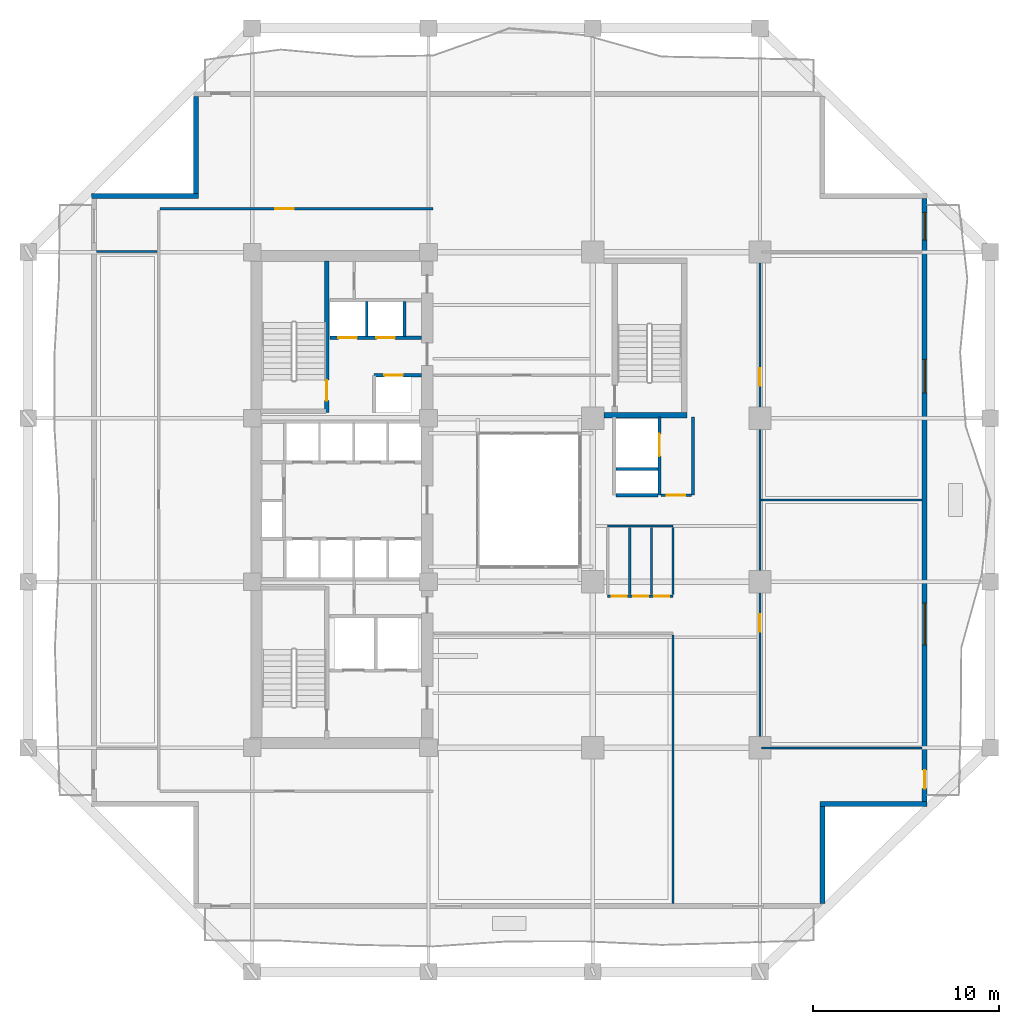
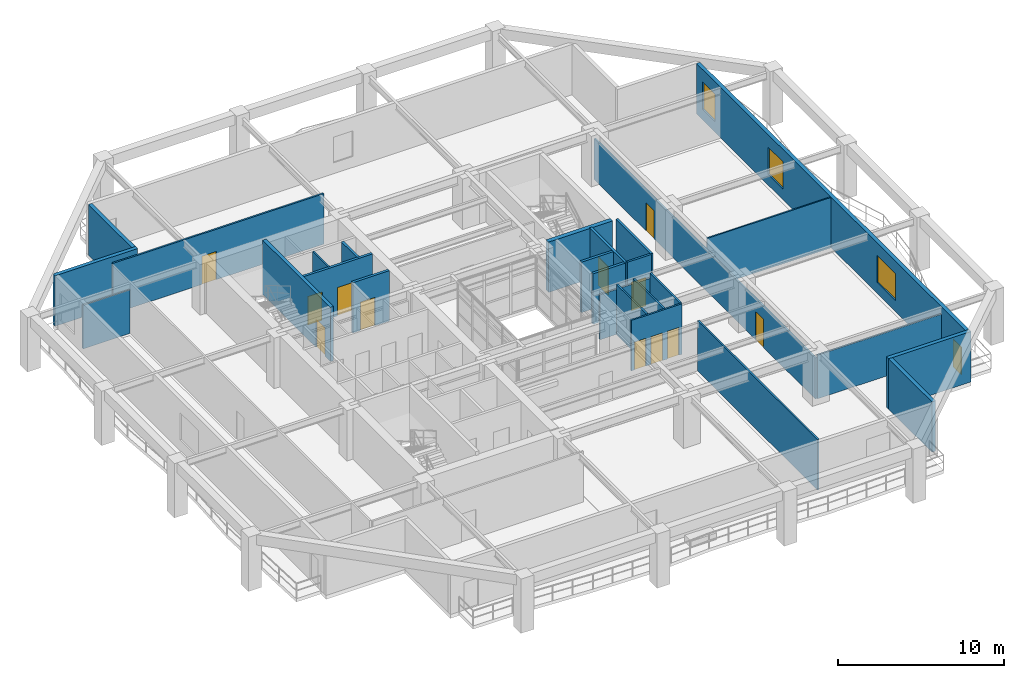
# One storey, part 8 of 17: 27 walls, 13 doors, 3 windows, 16 openings.
"""IFC4 building model written with IfcOpenShell, lengths in metres."""

from ifc_helpers import new_model, si_unit, direction, frame, frame_2d, origin, place, context, subcontext, project, spatial, rectangle, extrude, material, layer, layer_set, type_object, element, fill, save


model = new_model("IFC4")

# Units and contexts
model_context = context("Model", 3, precision=1e-05, world=origin(), true_north=direction((0.0, 1.0)))
body_context = subcontext(model_context, "Body", "Model", "MODEL_VIEW")
ifc_project = project(units=[si_unit("LENGTHUNIT", "METRE"), si_unit("AREAUNIT", "SQUARE_METRE"), si_unit("VOLUMEUNIT", "CUBIC_METRE"), si_unit("PLANEANGLEUNIT", "RADIAN"), si_unit("MASSUNIT", "GRAM", prefix="KILO")], contexts=[model_context])

# Site, building, storey
site_placement = place(None, origin())
site = spatial("IfcSite", under=ifc_project, at=site_placement, CompositionType="ELEMENT")
building_placement = place(site_placement, origin())
building = spatial("IfcBuilding", under=site, at=building_placement, Name="Kundavana Baori Tower", CompositionType="ELEMENT")
storey_placement = place(building_placement, frame((0.0, 0.0, 26.0)))
storey = spatial("IfcBuildingStorey", under=building, at=storey_placement, Name="L05", CompositionType="ELEMENT", Elevation=26.0)

# Wall, opening, door
ifc_material_1 = material(Name="Concrete C50/60", Category="concrete")
ifc_layer_1 = layer(ifc_material_1, 0.39990234375, Name="WL-CORE-400")
ifc_layer_set_1 = layer_set([ifc_layer_1], Name="Concrete C50/60")
wall_type_1 = type_object("IfcWallType", Name="WL-CORE-400", PredefinedType="SHEAR", material=ifc_layer_set_1)
wall_1_placement = place(storey_placement, frame((19.4599609375, 33.300048828125, 0.0), z_axis=(0.0, 0.0, 1.0), x_axis=(0.0, 1.0, 0.0)))
wall_1 = element("IfcWall", 1, at=wall_1_placement, inside=storey, type_object=wall_type_1, Name="WL-L05-ST2-E", PredefinedType="SHEAR", context=body_context, shape_type="SweptSolid", body=[
    extrude(rectangle(XDim=8.179931640625, YDim=0.239990234375, at=frame_2d((4.08984375, 0.0))), origin(), (0.0, 0.0, 1.0), 4.0),
])
opening_1_placement = place(wall_1_placement, frame((0.64990234375, 0.0, 0.0)))
opening_1 = element("IfcOpeningElement", 2, at=opening_1_placement, cuts=wall_1, Name="Opening FD-110", PredefinedType="OPENING", context=body_context, shape_type="SweptSolid", body=[
    extrude(rectangle(XDim=1.10009765625, YDim=2.10009765625, at=frame_2d((0.550048828125, 1.050048828125))), frame((0.0, 0.1298828125, 0.0), z_axis=(0.0, -1.0, 0.0), x_axis=(1.0, 0.0, 0.0)), (0.0, 0.0, 1.0), 0.260009765625),
])
ifc_material_2 = material(Name="Galvanised Steel Fire-Rated Door Leaf", Category="steel")
door_type_1 = type_object("IfcDoorType", Name="DR-FD120-1100", OperationType="NOTDEFINED", PredefinedType="DOOR", material=ifc_material_2)
door_1_placement = place(opening_1_placement, origin())
door_1 = element("IfcDoor", 3, at=door_1_placement, inside=storey, type_object=door_type_1, Name="DR-L05-ST2", OperationType="SINGLE_SWING_RIGHT", OverallHeight=2.10009765625, OverallWidth=1.10009765625, PredefinedType="DOOR", context=body_context, shape_type="SweptSolid", body=[
    extrude(rectangle(XDim=1.10009765625, YDim=2.10009765625, at=frame_2d((0.550048828125, 1.050048828125))), frame((0.0, 0.02490234375, 0.0), z_axis=(0.0, -1.0, 0.0), x_axis=(1.0, 0.0, 0.0)), (0.0, 0.0, 1.0), 0.050048828125),
])
fill(opening_1, door_1)

# Walls
ifc_material_3 = material(Name="Kiln-Fired Terracotta Brick-Slip Masonry on Concrete C40/50", Category="masonry")
ifc_layer_2 = layer(ifc_material_3, 0.260009765625, Name="WL-EXT-BRK-260")
ifc_layer_set_2 = layer_set([ifc_layer_2], Name="Kiln-Fired Terracotta Brick-Slip Masonry on Concrete C40/50")
wall_type_2 = type_object("IfcWallType", Name="WL-EXT-BRK-260", PredefinedType="SOLIDWALL", material=ifc_layer_set_2)
wall_2_placement = place(storey_placement, frame((46.169921875, 6.860107421875, 0.0), z_axis=(0.0, 0.0, 1.0), x_axis=(0.0, 1.0, 0.0)))
element("IfcWall", 4, at=wall_2_placement, inside=storey, type_object=wall_type_2, Name="L05 Exterior Insulated Facade Wall 02", PredefinedType="SOLIDWALL", context=body_context, shape_type="SweptSolid", body=[
    extrude(rectangle(XDim=5.239990234375, YDim=0.260009765625, at=frame_2d((2.6201171875, 0.0))), origin(), (0.0, 0.0, 1.0), 3.719970703125),
])
wall_3_placement = place(storey_placement, frame((46.0400390625, 12.22998046875, 0.0), z_axis=(0.0, 0.0, 1.0), x_axis=(1.0, 0.0, 0.0)))
element("IfcWall", 5, at=wall_3_placement, inside=storey, type_object=wall_type_2, Name="L05 Exterior Insulated Facade Wall 03", PredefinedType="SOLIDWALL", context=body_context, shape_type="SweptSolid", body=[
    extrude(rectangle(XDim=5.760009765625, YDim=0.260009765625, at=frame_2d((2.8798828125, 0.0))), origin(), (0.0, 0.0, 1.0), 3.719970703125),
])

# Wall, openings, door, windows
wall_4_placement = place(storey_placement, frame((51.669921875, 12.360107421875, 0.0), z_axis=(0.0, 0.0, 1.0), x_axis=(0.0, 1.0, 0.0)))
wall_4 = element("IfcWall", 6, at=wall_4_placement, inside=storey, type_object=wall_type_2, Name="L05 Exterior Insulated Facade Wall 04", PredefinedType="SOLIDWALL", context=body_context, shape_type="SweptSolid", body=[
    extrude(rectangle(XDim=32.47998046875, YDim=0.260009765625, at=frame_2d((16.239990234375, 0.0))), origin(), (0.0, 0.0, 1.0), 3.719970703125),
])
opening_2_placement = place(wall_4_placement, frame((0.68994140625, 0.0, 0.0)))
opening_2 = element("IfcOpeningElement", 7, at=opening_2_placement, cuts=wall_4, Name="Opening BD-1", PredefinedType="OPENING", context=body_context, shape_type="SweptSolid", body=[
    extrude(rectangle(XDim=1.0, YDim=2.050048828125, at=frame_2d((0.5, 1.02490234375))), frame((0.0, 0.14013671875, 0.0), z_axis=(0.0, -1.0, 0.0), x_axis=(1.0, 0.0, 0.0)), (0.0, 0.0, 1.0), 0.280029296875),
])
opening_3_placement = place(wall_4_placement, frame((8.43994140625, 0.0, 0.800048828125)))
opening_3 = element("IfcOpeningElement", 8, at=opening_3_placement, cuts=wall_4, Name="Opening W-10", PredefinedType="OPENING", context=body_context, shape_type="SweptSolid", body=[
    extrude(rectangle(XDim=2.25, YDim=2.0, at=frame_2d((1.125, 1.0))), frame((0.0, 0.14013671875, 0.0), z_axis=(0.0, -1.0, 0.0), x_axis=(1.0, 0.0, 0.0)), (0.0, 0.0, 1.0), 0.280029296875),
])
opening_4_placement = place(wall_4_placement, frame((22.014892578125, 0.0, 0.800048828125)))
opening_4 = element("IfcOpeningElement", 9, at=opening_4_placement, cuts=wall_4, Name="Opening W-01", PredefinedType="OPENING", context=body_context, shape_type="SweptSolid", body=[
    extrude(rectangle(XDim=1.800048828125, YDim=2.0, at=frame_2d((0.89990234375, 1.0))), frame((0.0, 0.14013671875, 0.0), z_axis=(0.0, -1.0, 0.0), x_axis=(1.0, 0.0, 0.0)), (0.0, 0.0, 1.0), 0.280029296875),
])
opening_5_placement = place(wall_4_placement, frame((30.22998046875, 0.0, 0.800048828125)))
opening_5 = element("IfcOpeningElement", 10, at=opening_5_placement, cuts=wall_4, Name="Opening W-02", PredefinedType="OPENING", context=body_context, shape_type="SweptSolid", body=[
    extrude(rectangle(XDim=1.5, YDim=2.0, at=frame_2d((0.75, 1.0))), frame((0.0, 0.14013671875, 0.0), z_axis=(0.0, -1.0, 0.0), x_axis=(1.0, 0.0, 0.0)), (0.0, 0.0, 1.0), 0.280029296875),
])
ifc_material_4 = material(Name="Architectural Patinated Bronze Metalwork")
door_type_2 = type_object("IfcDoorType", Name="DR-EXT-LOG-1000", OperationType="NOTDEFINED", PredefinedType="DOOR", material=ifc_material_4)
door_2_placement = place(opening_2_placement, frame((1.0, 0.0, 0.0), z_axis=(0.0, 0.0, 1.0), x_axis=(-1.0, 0.0, 0.0)))
door_2 = element("IfcDoor", 11, at=door_2_placement, inside=storey, type_object=door_type_2, Name="L05 Loggia Balcony Access Door E", OperationType="SINGLE_SWING_RIGHT", OverallHeight=2.050048828125, OverallWidth=1.0, PredefinedType="DOOR", context=body_context, shape_type="SweptSolid", body=[
    extrude(rectangle(XDim=1.0, YDim=2.050048828125, at=frame_2d((0.5, 1.02490234375))), frame((0.0, 0.02490234375, 0.0), z_axis=(0.0, -1.0, 0.0), x_axis=(1.0, 0.0, 0.0)), (0.0, 0.0, 1.0), 0.050048828125),
])
fill(opening_2, door_2)
ifc_material_5 = material(Name="Double-Glazed Solar-Control Low-E Insulated Glass", Category="glass")
window_type_1 = type_object("IfcWindowType", Name="WIN-LOG-1500x2000", PartitioningType="SINGLE_PANEL", PredefinedType="WINDOW", material=ifc_material_5)
window_1_placement = place(opening_5_placement, origin())
window_1 = element("IfcWindow", 12, at=window_1_placement, inside=storey, type_object=window_type_1, Name="L05 Recessed Loggia Window E-4", OverallHeight=2.0, OverallWidth=1.5, PartitioningType="SINGLE_PANEL", PredefinedType="WINDOW", context=body_context, shape_type="SweptSolid", body=[
    extrude(rectangle(XDim=1.5, YDim=2.0, at=frame_2d((0.75, 1.0))), frame((0.0, 0.030029296875, 0.0), z_axis=(0.0, -1.0, 0.0), x_axis=(1.0, 0.0, 0.0)), (0.0, 0.0, 1.0), 0.06005859375),
])
fill(opening_5, window_1)
ifc_material_6 = material(Name="Double-Glazed Solar-Control Low-E Insulated Glass", Category="glass")
window_type_2 = type_object("IfcWindowType", Name="WIN-LOG-1800x2000", PartitioningType="SINGLE_PANEL", PredefinedType="WINDOW", material=ifc_material_6)
window_2_placement = place(opening_4_placement, origin())
window_2 = element("IfcWindow", 13, at=window_2_placement, inside=storey, type_object=window_type_2, Name="L05 Recessed Loggia Window E-3", OverallHeight=2.0, OverallWidth=1.800048828125, PartitioningType="SINGLE_PANEL", PredefinedType="WINDOW", context=body_context, shape_type="SweptSolid", body=[
    extrude(rectangle(XDim=1.800048828125, YDim=2.0, at=frame_2d((0.89990234375, 1.0))), frame((0.0, 0.030029296875, 0.0), z_axis=(0.0, -1.0, 0.0), x_axis=(1.0, 0.0, 0.0)), (0.0, 0.0, 1.0), 0.06005859375),
])
fill(opening_4, window_2)
ifc_material_7 = material(Name="Double-Glazed Solar-Control Low-E Insulated Glass", Category="glass")
window_type_3 = type_object("IfcWindowType", Name="WIN-LOG-2250x2000", PartitioningType="SINGLE_PANEL", PredefinedType="WINDOW", material=ifc_material_7)
window_3_placement = place(opening_3_placement, origin())
window_3 = element("IfcWindow", 14, at=window_3_placement, inside=storey, type_object=window_type_3, Name="L05 Recessed Loggia Window E-2", OverallHeight=2.0, OverallWidth=2.25, PartitioningType="SINGLE_PANEL", PredefinedType="WINDOW", context=body_context, shape_type="SweptSolid", body=[
    extrude(rectangle(XDim=2.25, YDim=2.0, at=frame_2d((1.125, 1.0))), frame((0.0, 0.030029296875, 0.0), z_axis=(0.0, -1.0, 0.0), x_axis=(1.0, 0.0, 0.0)), (0.0, 0.0, 1.0), 0.06005859375),
])
fill(opening_3, window_3)

# Walls
wall_5_placement = place(storey_placement, frame((12.429931640625, 50.340087890625, 0.0), z_axis=(0.0, 0.0, 1.0), x_axis=(0.0, -1.0, 0.0)))
element("IfcWall", 15, at=wall_5_placement, inside=storey, type_object=wall_type_2, Name="L05 Exterior Insulated Facade Wall 08", PredefinedType="SOLIDWALL", context=body_context, shape_type="SweptSolid", body=[
    extrude(rectangle(XDim=5.239990234375, YDim=0.260009765625, at=frame_2d((2.6201171875, 0.0))), origin(), (0.0, 0.0, 1.0), 3.719970703125),
])
wall_6_placement = place(storey_placement, frame((12.56005859375, 44.969970703125, 0.0), z_axis=(0.0, 0.0, 1.0), x_axis=(-1.0, 0.0, 0.0)))
element("IfcWall", 16, at=wall_6_placement, inside=storey, type_object=wall_type_2, Name="L05 Exterior Insulated Facade Wall 09", PredefinedType="SOLIDWALL", context=body_context, shape_type="SweptSolid", body=[
    extrude(rectangle(XDim=5.760009765625, YDim=0.260009765625, at=frame_2d((2.8798828125, 0.0))), origin(), (0.0, 0.0, 1.0), 3.719970703125),
])
ifc_material_8 = material(Name="Acoustic Gypsum Plasterboard on Galvanised Steel Studs", Category="steel")
ifc_layer_3 = layer(ifc_material_8, 0.10009765625, Name="WL-MOV-100")
ifc_layer_set_3 = layer_set([ifc_layer_3], Name="Acoustic Gypsum Plasterboard on Galvanised Steel Studs")
wall_type_3 = type_object("IfcWallType", Name="WL-MOV-100", PredefinedType="MOVABLE", material=ifc_layer_set_3)
wall_7_placement = place(storey_placement, frame((42.8798828125, 28.60009765625, 0.0), z_axis=(0.0, 0.0, 1.0), x_axis=(1.0, 0.0, 0.0)))
element("IfcWall", 17, at=wall_7_placement, inside=storey, type_object=wall_type_3, Name="WL-L05-ED1", PredefinedType="MOVABLE", context=body_context, shape_type="SweptSolid", body=[
    extrude(rectangle(XDim=8.64013671875, YDim=0.10009765625, at=frame_2d((4.320068359375, 0.0))), origin(), (0.0, 0.0, 1.0), 3.719970703125),
])
ifc_material_9 = material(Name="Acoustic Gypsum Plasterboard on Galvanised Steel Studs", Category="steel")
ifc_layer_4 = layer(ifc_material_9, 0.1201171875, Name="WL-PART-120")
ifc_layer_set_4 = layer_set([ifc_layer_4], Name="Acoustic Gypsum Plasterboard on Galvanised Steel Studs")
wall_type_4 = type_object("IfcWallType", Name="WL-PART-120", PredefinedType="PARTITIONING", material=ifc_layer_set_4)
wall_8_placement = place(storey_placement, frame((21.6201171875, 37.39990234375, 0.0), z_axis=(0.0, 0.0, 1.0), x_axis=(0.0, 1.0, 0.0)))
element("IfcWall", 18, at=wall_8_placement, inside=storey, type_object=wall_type_4, Name="WL-L05-HR-DIV1", PredefinedType="PARTITIONING", context=body_context, shape_type="SweptSolid", body=[
    extrude(rectangle(XDim=1.900146484375, YDim=0.1201171875, at=frame_2d((0.9501953125, 0.0))), origin(), (0.0, 0.0, 1.0), 3.719970703125),
])
wall_9_placement = place(storey_placement, frame((38.1201171875, 6.8798828125, 0.0), z_axis=(0.0, 0.0, 1.0), x_axis=(0.0, 1.0, 0.0)))
element("IfcWall", 19, at=wall_9_placement, inside=storey, type_object=wall_type_4, Name="WL-L05-OFSEND", PredefinedType="PARTITIONING", context=body_context, shape_type="SweptSolid", body=[
    extrude(rectangle(XDim=14.460205078125, YDim=0.1201171875, at=frame_2d((7.22998046875, 0.0))), origin(), (0.0, 0.0, 1.0), 3.719970703125),
])

# Wall, openings, doors
wall_10_placement = place(storey_placement, frame((34.60009765625, 23.419921875, 0.0), z_axis=(0.0, 0.0, 1.0), x_axis=(1.0, 0.0, 0.0)))
wall_10 = element("IfcWall", 20, at=wall_10_placement, inside=storey, type_object=wall_type_4, Name="WL-L05-OFST", PredefinedType="PARTITIONING", context=body_context, shape_type="SweptSolid", body=[
    extrude(rectangle(XDim=3.52001953125, YDim=0.1201171875, at=frame_2d((1.760009765625, 0.0))), origin(), (0.0, 0.0, 1.0), 3.719970703125),
])
opening_6_placement = place(wall_10_placement, frame((0.219970703125, 0.0, 0.0)))
opening_6 = element("IfcOpeningElement", 21, at=opening_6_placement, cuts=wall_10, Name="Opening WD-080", PredefinedType="OPENING", context=body_context, shape_type="SweptSolid", body=[
    extrude(rectangle(XDim=0.800048828125, YDim=2.050048828125, at=frame_2d((0.39990234375, 1.02490234375))), frame((0.0, 0.070068359375, 0.0), z_axis=(0.0, -1.0, 0.0), x_axis=(1.0, 0.0, 0.0)), (0.0, 0.0, 1.0), 0.14013671875),
])
opening_7_placement = place(wall_10_placement, frame((1.3798828125, 0.0, 0.0)))
opening_7 = element("IfcOpeningElement", 22, at=opening_7_placement, cuts=wall_10, Name="Opening WD-080", PredefinedType="OPENING", context=body_context, shape_type="SweptSolid", body=[
    extrude(rectangle(XDim=0.800048828125, YDim=2.050048828125, at=frame_2d((0.39990234375, 1.02490234375))), frame((0.0, 0.070068359375, 0.0), z_axis=(0.0, -1.0, 0.0), x_axis=(1.0, 0.0, 0.0)), (0.0, 0.0, 1.0), 0.14013671875),
])
opening_8_placement = place(wall_10_placement, frame((2.52001953125, 0.0, 0.0)))
opening_8 = element("IfcOpeningElement", 23, at=opening_8_placement, cuts=wall_10, Name="Opening WD-080", PredefinedType="OPENING", context=body_context, shape_type="SweptSolid", body=[
    extrude(rectangle(XDim=0.800048828125, YDim=2.050048828125, at=frame_2d((0.39990234375, 1.02490234375))), frame((0.0, 0.070068359375, 0.0), z_axis=(0.0, -1.0, 0.0), x_axis=(1.0, 0.0, 0.0)), (0.0, 0.0, 1.0), 0.14013671875),
])
ifc_material_10 = material(Name="Engineered Teak Solid-Core Timber Veneer", Category="wood")
door_type_3 = type_object("IfcDoorType", Name="DR-WET-800", OperationType="NOTDEFINED", PredefinedType="DOOR", material=ifc_material_10)
door_3_placement = place(opening_6_placement, origin())
door_3 = element("IfcDoor", 24, at=door_3_placement, inside=storey, type_object=door_type_3, Name="DR-L05-WCM", OperationType="SINGLE_SWING_LEFT", OverallHeight=2.050048828125, OverallWidth=0.800048828125, PredefinedType="DOOR", context=body_context, shape_type="SweptSolid", body=[
    extrude(rectangle(XDim=0.800048828125, YDim=2.050048828125, at=frame_2d((0.39990234375, 1.02490234375))), frame((0.0, 0.02490234375, 0.0), z_axis=(0.0, -1.0, 0.0), x_axis=(1.0, 0.0, 0.0)), (0.0, 0.0, 1.0), 0.050048828125),
])
fill(opening_6, door_3)
door_4_placement = place(opening_7_placement, origin())
door_4 = element("IfcDoor", 25, at=door_4_placement, inside=storey, type_object=door_type_3, Name="DR-L05-WCA", OperationType="SINGLE_SWING_RIGHT", OverallHeight=2.050048828125, OverallWidth=0.800048828125, PredefinedType="DOOR", context=body_context, shape_type="SweptSolid", body=[
    extrude(rectangle(XDim=0.800048828125, YDim=2.050048828125, at=frame_2d((0.39990234375, 1.02490234375))), frame((0.0, 0.02490234375, 0.0), z_axis=(0.0, -1.0, 0.0), x_axis=(1.0, 0.0, 0.0)), (0.0, 0.0, 1.0), 0.050048828125),
])
fill(opening_7, door_4)
door_5_placement = place(opening_8_placement, origin())
door_5 = element("IfcDoor", 26, at=door_5_placement, inside=storey, type_object=door_type_3, Name="DR-L05-PNT", OperationType="SINGLE_SWING_LEFT", OverallHeight=2.050048828125, OverallWidth=0.800048828125, PredefinedType="DOOR", context=body_context, shape_type="SweptSolid", body=[
    extrude(rectangle(XDim=0.800048828125, YDim=2.050048828125, at=frame_2d((0.39990234375, 1.02490234375))), frame((0.0, 0.02490234375, 0.0), z_axis=(0.0, -1.0, 0.0), x_axis=(1.0, 0.0, 0.0)), (0.0, 0.0, 1.0), 0.050048828125),
])
fill(opening_8, door_5)

wall_11_placement = place(storey_placement, frame((42.800048828125, 15.25, 0.0), z_axis=(0.0, 0.0, 1.0), x_axis=(0.0, 1.0, 0.0)))
wall_11 = element("IfcWall", 27, at=wall_11_placement, inside=storey, type_object=wall_type_4, Name="WL-L05-OFE", PredefinedType="PARTITIONING", context=body_context, shape_type="SweptSolid", body=[
    extrude(rectangle(XDim=26.699951171875, YDim=0.1201171875, at=frame_2d((13.35009765625, 0.0))), origin(), (0.0, 0.0, 1.0), 3.02001953125),
])
opening_9_placement = place(wall_11_placement, frame((6.25, 0.0, 0.0)))
opening_9 = element("IfcOpeningElement", 28, at=opening_9_placement, cuts=wall_11, Name="Opening ID-095", PredefinedType="OPENING", context=body_context, shape_type="SweptSolid", body=[
    extrude(rectangle(XDim=0.949951171875, YDim=2.080078125, at=frame_2d((0.47509765625, 1.0400390625))), frame((0.0, 0.070068359375, 0.0), z_axis=(0.0, -1.0, 0.0), x_axis=(1.0, 0.0, 0.0)), (0.0, 0.0, 1.0), 0.14013671875),
])
opening_10_placement = place(wall_11_placement, frame((19.5, 0.0, 0.0)))
opening_10 = element("IfcOpeningElement", 29, at=opening_10_placement, cuts=wall_11, Name="Opening ID-095", PredefinedType="OPENING", context=body_context, shape_type="SweptSolid", body=[
    extrude(rectangle(XDim=0.949951171875, YDim=2.080078125, at=frame_2d((0.47509765625, 1.0400390625))), frame((0.0, 0.070068359375, 0.0), z_axis=(0.0, -1.0, 0.0), x_axis=(1.0, 0.0, 0.0)), (0.0, 0.0, 1.0), 0.14013671875),
])
ifc_material_11 = material(Name="Engineered Teak Solid-Core Timber Veneer", Category="wood")
door_type_4 = type_object("IfcDoorType", Name="DR-INT-950", OperationType="NOTDEFINED", PredefinedType="DOOR", material=ifc_material_11)
door_6_placement = place(opening_9_placement, origin())
door_6 = element("IfcDoor", 30, at=door_6_placement, inside=storey, type_object=door_type_4, Name="DR-L05-OFE1", OperationType="SINGLE_SWING_RIGHT", OverallHeight=2.080078125, OverallWidth=0.949951171875, PredefinedType="DOOR", context=body_context, shape_type="SweptSolid", body=[
    extrude(rectangle(XDim=0.949951171875, YDim=2.080078125, at=frame_2d((0.47509765625, 1.0400390625))), frame((0.0, 0.02490234375, 0.0), z_axis=(0.0, -1.0, 0.0), x_axis=(1.0, 0.0, 0.0)), (0.0, 0.0, 1.0), 0.050048828125),
])
fill(opening_9, door_6)
door_7_placement = place(opening_10_placement, origin())
door_7 = element("IfcDoor", 31, at=door_7_placement, inside=storey, type_object=door_type_4, Name="DR-L05-OFE2", OperationType="SINGLE_SWING_LEFT", OverallHeight=2.080078125, OverallWidth=0.949951171875, PredefinedType="DOOR", context=body_context, shape_type="SweptSolid", body=[
    extrude(rectangle(XDim=0.949951171875, YDim=2.080078125, at=frame_2d((0.47509765625, 1.0400390625))), frame((0.0, 0.02490234375, 0.0), z_axis=(0.0, -1.0, 0.0), x_axis=(1.0, 0.0, 0.0)), (0.0, 0.0, 1.0), 0.050048828125),
])
fill(opening_10, door_7)

# Walls
wall_12_placement = place(storey_placement, frame((42.8798828125, 15.25, 0.0), z_axis=(0.0, 0.0, 1.0), x_axis=(1.0, 0.0, 0.0)))
element("IfcWall", 32, at=wall_12_placement, inside=storey, type_object=wall_type_4, Name="WL-L05-OFES", PredefinedType="PARTITIONING", context=body_context, shape_type="SweptSolid", body=[
    extrude(rectangle(XDim=8.64013671875, YDim=0.1201171875, at=frame_2d((4.320068359375, 0.0))), origin(), (0.0, 0.0, 1.0), 3.219970703125),
])
wall_13_placement = place(storey_placement, frame((7.080078125, 41.97998046875, 0.0), z_axis=(0.0, 0.0, 1.0), x_axis=(1.0, 0.0, 0.0)))
element("IfcWall", 33, at=wall_13_placement, inside=storey, type_object=wall_type_4, Name="WL-L05-OWN", PredefinedType="PARTITIONING", context=body_context, shape_type="SweptSolid", body=[
    extrude(rectangle(XDim=3.260009765625, YDim=0.1201171875, at=frame_2d((1.6298828125, 0.0))), origin(), (0.0, 0.0, 1.0), 3.219970703125),
])

# Wall, opening, door
wall_14_placement = place(storey_placement, frame((10.5, 44.280029296875, 0.0), z_axis=(0.0, 0.0, 1.0), x_axis=(1.0, 0.0, 0.0)))
wall_14 = element("IfcWall", 34, at=wall_14_placement, inside=storey, type_object=wall_type_4, Name="WL-L05-ONC", PredefinedType="PARTITIONING", context=body_context, shape_type="SweptSolid", body=[
    extrude(rectangle(XDim=14.699951171875, YDim=0.1201171875, at=frame_2d((7.35009765625, 0.0))), origin(), (0.0, 0.0, 1.0), 3.719970703125),
])
opening_11_placement = place(wall_14_placement, frame((6.199951171875, 0.0, 0.0)))
opening_11 = element("IfcOpeningElement", 35, at=opening_11_placement, cuts=wall_14, Name="Opening ID-100", PredefinedType="OPENING", context=body_context, shape_type="SweptSolid", body=[
    extrude(rectangle(XDim=1.0, YDim=2.080078125, at=frame_2d((0.5, 1.0400390625))), frame((0.0, 0.070068359375, 0.0), z_axis=(0.0, -1.0, 0.0), x_axis=(1.0, 0.0, 0.0)), (0.0, 0.0, 1.0), 0.14013671875),
])
ifc_material_12 = material(Name="Engineered Teak Solid-Core Timber Veneer", Category="wood")
door_type_5 = type_object("IfcDoorType", Name="DR-INT-1000", OperationType="NOTDEFINED", PredefinedType="DOOR", material=ifc_material_12)
door_8_placement = place(opening_11_placement, origin())
door_8 = element("IfcDoor", 36, at=door_8_placement, inside=storey, type_object=door_type_5, Name="DR-L05-ONWC", OperationType="SINGLE_SWING_RIGHT", OverallHeight=2.080078125, OverallWidth=1.0, PredefinedType="DOOR", context=body_context, shape_type="SweptSolid", body=[
    extrude(rectangle(XDim=1.0, YDim=2.080078125, at=frame_2d((0.5, 1.0400390625))), frame((0.0, 0.02490234375, 0.0), z_axis=(0.0, -1.0, 0.0), x_axis=(1.0, 0.0, 0.0)), (0.0, 0.0, 1.0), 0.050048828125),
])
fill(opening_11, door_8)

# Wall
ifc_material_13 = material(Name="Fire-Rated Gypsum Drywall on Galvanised Steel Studs", Category="steel")
ifc_layer_5 = layer(ifc_material_13, 0.14990234375, Name="WL-PART-150")
ifc_layer_set_5 = layer_set([ifc_layer_5], Name="Fire-Rated Gypsum Drywall on Galvanised Steel Studs")
wall_type_5 = type_object("IfcWallType", Name="WL-PART-150", PredefinedType="PARTITIONING", material=ifc_layer_set_5)
wall_15_placement = place(storey_placement, frame((39.199951171875, 28.860107421875, 0.0), z_axis=(0.0, 0.0, 1.0), x_axis=(0.0, 1.0, 0.0)))
element("IfcWall", 37, at=wall_15_placement, inside=storey, type_object=wall_type_5, Name="WL-L05-SVLOB-E", PredefinedType="PARTITIONING", context=body_context, shape_type="SweptSolid", body=[
    extrude(rectangle(XDim=4.219970703125, YDim=0.14990234375, at=frame_2d((2.10986328125, 0.0))), origin(), (0.0, 0.0, 1.0), 3.719970703125),
])

# Wall, opening, door
wall_16_placement = place(storey_placement, frame((37.47998046875, 28.860107421875, 0.0), z_axis=(0.0, 0.0, 1.0), x_axis=(1.0, 0.0, 0.0)))
wall_16 = element("IfcWall", 38, at=wall_16_placement, inside=storey, type_object=wall_type_5, Name="WL-L05-SVLOB-S", PredefinedType="PARTITIONING", context=body_context, shape_type="SweptSolid", body=[
    extrude(rectangle(XDim=1.64013671875, YDim=0.14990234375, at=frame_2d((0.820068359375, 0.0))), origin(), (0.0, 0.0, 1.0), 3.719970703125),
])
opening_12_placement = place(wall_16_placement, frame((0.300048828125, 0.0, 0.0)))
opening_12 = element("IfcOpeningElement", 39, at=opening_12_placement, cuts=wall_16, Name="Opening FD-100", PredefinedType="OPENING", context=body_context, shape_type="SweptSolid", body=[
    extrude(rectangle(XDim=1.0, YDim=2.10009765625, at=frame_2d((0.5, 1.050048828125))), frame((0.0, 0.0849609375, 0.0), z_axis=(0.0, -1.0, 0.0), x_axis=(1.0, 0.0, 0.0)), (0.0, 0.0, 1.0), 0.169921875),
])
ifc_material_14 = material(Name="Engineered Teak Fire-Rated Timber Door Leaf", Category="wood")
door_type_6 = type_object("IfcDoorType", Name="DR-FD60-1000", OperationType="NOTDEFINED", PredefinedType="DOOR", material=ifc_material_14)
door_9_placement = place(opening_12_placement, origin())
door_9 = element("IfcDoor", 40, at=door_9_placement, inside=storey, type_object=door_type_6, Name="DR-L05-SVLOB-OUT", OperationType="SINGLE_SWING_LEFT", OverallHeight=2.10009765625, OverallWidth=1.0, PredefinedType="DOOR", context=body_context, shape_type="SweptSolid", body=[
    extrude(rectangle(XDim=1.0, YDim=2.10009765625, at=frame_2d((0.5, 1.050048828125))), frame((0.0, 0.02490234375, 0.0), z_axis=(0.0, -1.0, 0.0), x_axis=(1.0, 0.0, 0.0)), (0.0, 0.0, 1.0), 0.050048828125),
])
fill(opening_12, door_9)

ifc_material_15 = material(Name="Autoclaved Aerated Concrete Blockwork Masonry", Category="masonry")
ifc_layer_6 = layer(ifc_material_15, 0.179931640625, Name="WL-SHAFT-180")
ifc_layer_set_6 = layer_set([ifc_layer_6], Name="Autoclaved Aerated Concrete Blockwork Masonry")
wall_type_6 = type_object("IfcWallType", Name="WL-SHAFT-180", PredefinedType="SOLIDWALL", material=ifc_layer_set_6)
wall_17_placement = place(storey_placement, frame((22.02001953125, 35.31005859375, 0.0), z_axis=(0.0, 0.0, 1.0), x_axis=(1.0, 0.0, 0.0)))
wall_17 = element("IfcWall", 41, at=wall_17_placement, inside=storey, type_object=wall_type_6, Name="WL-L05-LP11-N", PredefinedType="SOLIDWALL", context=body_context, shape_type="SweptSolid", body=[
    extrude(rectangle(XDim=2.56005859375, YDim=0.179931640625, at=frame_2d((1.280029296875, 0.0))), origin(), (0.0, 0.0, 1.0), 3.719970703125),
])
opening_13_placement = place(wall_17_placement, frame((0.550048828125, 0.0, 0.0)))
opening_13 = element("IfcOpeningElement", 42, at=opening_13_placement, cuts=wall_17, Name="Opening LD-100", PredefinedType="OPENING", context=body_context, shape_type="SweptSolid", body=[
    extrude(rectangle(XDim=1.0, YDim=2.10009765625, at=frame_2d((0.5, 1.050048828125))), frame((0.0, 0.10009765625, 0.0), z_axis=(0.0, -1.0, 0.0), x_axis=(1.0, 0.0, 0.0)), (0.0, 0.0, 1.0), 0.199951171875),
])
ifc_material_16 = material(Name="Galvanised Steel Fire-Rated Door Leaf", Category="steel")
door_type_7 = type_object("IfcDoorType", Name="DR-SLIDE-LD1000", OperationType="NOTDEFINED", PredefinedType="DOOR", material=ifc_material_16)
door_10_placement = place(opening_13_placement, origin())
door_10 = element("IfcDoor", 43, at=door_10_placement, inside=storey, type_object=door_type_7, Name="DR-L05-LD-LP11", OperationType="DOUBLE_DOOR_SLIDING", OverallHeight=2.10009765625, OverallWidth=1.0, PredefinedType="DOOR", context=body_context, shape_type="SweptSolid", body=[
    extrude(rectangle(XDim=1.0, YDim=2.10009765625, at=frame_2d((0.5, 1.050048828125))), frame((0.0, 0.02490234375, 0.0), z_axis=(0.0, -1.0, 0.0), x_axis=(1.0, 0.0, 0.0)), (0.0, 0.0, 1.0), 0.050048828125),
])
fill(opening_13, door_10)

# Wall, openings, doors
wall_18_placement = place(storey_placement, frame((19.639892578125, 37.340087890625, 0.0), z_axis=(0.0, 0.0, 1.0), x_axis=(1.0, 0.0, 0.0)))
wall_18 = element("IfcWall", 44, at=wall_18_placement, inside=storey, type_object=wall_type_6, Name="WL-L05-HRLOB-N", PredefinedType="SOLIDWALL", context=body_context, shape_type="SweptSolid", body=[
    extrude(rectangle(XDim=4.940185546875, YDim=0.179931640625, at=frame_2d((2.47021484375, 0.0))), origin(), (0.0, 0.0, 1.0), 3.719970703125),
])
opening_14_placement = place(wall_18_placement, frame((0.449951171875, 0.0, 0.0)))
opening_14 = element("IfcOpeningElement", 45, at=opening_14_placement, cuts=wall_18, Name="Opening LD-100", PredefinedType="OPENING", context=body_context, shape_type="SweptSolid", body=[
    extrude(rectangle(XDim=1.0, YDim=2.10009765625, at=frame_2d((0.5, 1.050048828125))), frame((0.0, 0.10009765625, 0.0), z_axis=(0.0, -1.0, 0.0), x_axis=(1.0, 0.0, 0.0)), (0.0, 0.0, 1.0), 0.199951171875),
])
opening_15_placement = place(wall_18_placement, frame((2.5, 0.0, 0.0)))
opening_15 = element("IfcOpeningElement", 46, at=opening_15_placement, cuts=wall_18, Name="Opening LD-100", PredefinedType="OPENING", context=body_context, shape_type="SweptSolid", body=[
    extrude(rectangle(XDim=1.0, YDim=2.10009765625, at=frame_2d((0.5, 1.050048828125))), frame((0.0, 0.10009765625, 0.0), z_axis=(0.0, -1.0, 0.0), x_axis=(1.0, 0.0, 0.0)), (0.0, 0.0, 1.0), 0.199951171875),
])
door_11_placement = place(opening_14_placement, frame((1.0, 0.0, 0.0), z_axis=(0.0, 0.0, 1.0), x_axis=(-1.0, 0.0, 0.0)))
door_11 = element("IfcDoor", 47, at=door_11_placement, inside=storey, type_object=door_type_7, Name="DR-L05-LD-LP09", OperationType="DOUBLE_DOOR_SLIDING", OverallHeight=2.10009765625, OverallWidth=1.0, PredefinedType="DOOR", context=body_context, shape_type="SweptSolid", body=[
    extrude(rectangle(XDim=1.0, YDim=2.10009765625, at=frame_2d((0.5, 1.050048828125))), frame((0.0, 0.02490234375, 0.0), z_axis=(0.0, -1.0, 0.0), x_axis=(1.0, 0.0, 0.0)), (0.0, 0.0, 1.0), 0.050048828125),
])
fill(opening_14, door_11)
door_12_placement = place(opening_15_placement, frame((1.0, 0.0, 0.0), z_axis=(0.0, 0.0, 1.0), x_axis=(-1.0, 0.0, 0.0)))
door_12 = element("IfcDoor", 48, at=door_12_placement, inside=storey, type_object=door_type_7, Name="DR-L05-LD-LP10", OperationType="DOUBLE_DOOR_SLIDING", OverallHeight=2.10009765625, OverallWidth=1.0, PredefinedType="DOOR", context=body_context, shape_type="SweptSolid", body=[
    extrude(rectangle(XDim=1.0, YDim=2.10009765625, at=frame_2d((0.5, 1.050048828125))), frame((0.0, 0.02490234375, 0.0), z_axis=(0.0, -1.0, 0.0), x_axis=(1.0, 0.0, 0.0)), (0.0, 0.0, 1.0), 0.050048828125),
])
fill(opening_15, door_12)

# Wall
wall_19_placement = place(storey_placement, frame((23.659912109375, 37.39990234375, 0.0), z_axis=(0.0, 0.0, 1.0), x_axis=(0.0, 1.0, 0.0)))
element("IfcWall", 49, at=wall_19_placement, inside=storey, type_object=wall_type_6, Name="WL-L05-HR-DIV2", PredefinedType="SOLIDWALL", context=body_context, shape_type="SweptSolid", body=[
    extrude(rectangle(XDim=1.900146484375, YDim=0.179931640625, at=frame_2d((0.9501953125, 0.0))), origin(), (0.0, 0.0, 1.0), 3.719970703125),
])

# Wall, opening, door
wall_20_placement = place(storey_placement, frame((37.389892578125, 28.860107421875, 0.0), z_axis=(0.0, 0.0, 1.0), x_axis=(0.0, 1.0, 0.0)))
wall_20 = element("IfcWall", 50, at=wall_20_placement, inside=storey, type_object=wall_type_6, Name="WL-L05-SVL-E", PredefinedType="SOLIDWALL", context=body_context, shape_type="SweptSolid", body=[
    extrude(rectangle(XDim=4.219970703125, YDim=0.179931640625, at=frame_2d((2.10986328125, 0.0))), origin(), (0.0, 0.0, 1.0), 3.719970703125),
])
opening_16_placement = place(wall_20_placement, frame((2.10009765625, 0.0, 0.0)))
opening_16 = element("IfcOpeningElement", 51, at=opening_16_placement, cuts=wall_20, Name="Opening LD-120", PredefinedType="OPENING", context=body_context, shape_type="SweptSolid", body=[
    extrude(rectangle(XDim=1.199951171875, YDim=2.1201171875, at=frame_2d((0.60009765625, 1.06005859375))), frame((0.0, 0.10009765625, 0.0), z_axis=(0.0, -1.0, 0.0), x_axis=(1.0, 0.0, 0.0)), (0.0, 0.0, 1.0), 0.199951171875),
])
ifc_material_17 = material(Name="Galvanised Steel Fire-Rated Door Leaf", Category="steel")
door_type_8 = type_object("IfcDoorType", Name="DR-SLIDE-LD1200", OperationType="NOTDEFINED", PredefinedType="DOOR", material=ifc_material_17)
door_13_placement = place(opening_16_placement, frame((1.199951171875, 0.0, 0.0), z_axis=(0.0, 0.0, 1.0), x_axis=(-1.0, 0.0, 0.0)))
door_13 = element("IfcDoor", 52, at=door_13_placement, inside=storey, type_object=door_type_8, Name="DR-L05-LD-SVL1", OperationType="DOUBLE_DOOR_SLIDING", OverallHeight=2.1201171875, OverallWidth=1.199951171875, PredefinedType="DOOR", context=body_context, shape_type="SweptSolid", body=[
    extrude(rectangle(XDim=1.199951171875, YDim=2.1201171875, at=frame_2d((0.60009765625, 1.06005859375))), frame((0.0, 0.02490234375, 0.0), z_axis=(0.0, -1.0, 0.0), x_axis=(1.0, 0.0, 0.0)), (0.0, 0.0, 1.0), 0.050048828125),
])
fill(opening_16, door_13)

# Walls
for number, where, z_axis, x_axis, name in (
    (53, (35.050048828125, 28.860107421875, 0.0), (0.0, 0.0, 1.0), (1.0, 0.0, 0.0), "WL-L05-SVL-S"),
    (54, (35.050048828125, 30.27001953125, 0.0), (0.0, 0.0, 1.0), (1.0, 0.0, 0.0), "WL-L05-SVL-M"),
):
    element("IfcWall", number, at=place(storey_placement, frame(where, z_axis=z_axis, x_axis=x_axis)), inside=storey, type_object=wall_type_6, Name=name, PredefinedType="SOLIDWALL", context=body_context, shape_type="SweptSolid", body=[
        extrude(rectangle(XDim=2.25, YDim=0.179931640625, at=frame_2d((1.125, 0.0))), origin(), (0.0, 0.0, 1.0), 3.719970703125),
    ])
ifc_material_18 = material(Name="Concrete C50/60", Category="concrete")
ifc_layer_7 = layer(ifc_material_18, 0.300048828125, Name="WL-ST3-300")
ifc_layer_set_7 = layer_set([ifc_layer_7], Name="Concrete C50/60")
wall_type_7 = type_object("IfcWallType", Name="WL-ST3-300", PredefinedType="SHEAR", material=ifc_layer_set_7)
wall_21_placement = place(storey_placement, frame((34.39990234375, 33.159912109375, 0.0), z_axis=(0.0, 0.0, 1.0), x_axis=(1.0, 0.0, 0.0)))
element("IfcWall", 55, at=wall_21_placement, inside=storey, type_object=wall_type_7, Name="L05 Stair ST3 South Shear Wall", PredefinedType="SHEAR", context=body_context, shape_type="SweptSolid", body=[
    extrude(rectangle(XDim=4.47021484375, YDim=0.300048828125, at=frame_2d((2.235107421875, 0.0))), origin(), (0.0, 0.0, 1.0), 3.719970703125),
])
ifc_material_19 = material(Name="Autoclaved Aerated Concrete Blockwork Masonry", Category="masonry")
ifc_layer_8 = layer(ifc_material_19, 0.125, Name="WL-WET-120")
ifc_layer_set_8 = layer_set([ifc_layer_8], Name="Autoclaved Aerated Concrete Blockwork Masonry")
wall_type_8 = type_object("IfcWallType", Name="WL-WET-120", PredefinedType="PLUMBINGWALL", material=ifc_layer_set_8)
wall_22_placement = place(storey_placement, frame((34.60009765625, 27.199951171875, 0.0), z_axis=(0.0, 0.0, 1.0), x_axis=(1.0, 0.0, 0.0)))
element("IfcWall", 56, at=wall_22_placement, inside=storey, type_object=wall_type_8, Name="WL-L05-WCN", PredefinedType="PLUMBINGWALL", context=body_context, shape_type="SweptSolid", body=[
    extrude(rectangle(XDim=3.52001953125, YDim=0.125, at=frame_2d((1.760009765625, 0.0))), origin(), (0.0, 0.0, 1.0), 3.320068359375),
])
for number, where, z_axis, x_axis, name in (
    (57, (38.1201171875, 23.5, 0.0), (0.0, 0.0, 1.0), (0.0, 1.0, 0.0), "WL-L05-WCE"),
    (58, (35.780029296875, 23.5, 0.0), (0.0, 0.0, 1.0), (0.0, 1.0, 0.0), "WL-L05-WCD1"),
    (59, (36.9599609375, 23.5, 0.0), (0.0, 0.0, 1.0), (0.0, 1.0, 0.0), "WL-L05-WCD2"),
):
    element("IfcWall", number, at=place(storey_placement, frame(where, z_axis=z_axis, x_axis=x_axis)), inside=storey, type_object=wall_type_8, Name=name, PredefinedType="PLUMBINGWALL", context=body_context, shape_type="SweptSolid", body=[
        extrude(rectangle(XDim=3.6201171875, YDim=0.125, at=frame_2d((1.81005859375, 0.0))), origin(), (0.0, 0.0, 1.0), 3.719970703125),
    ])

save(model, "model.ifc")
